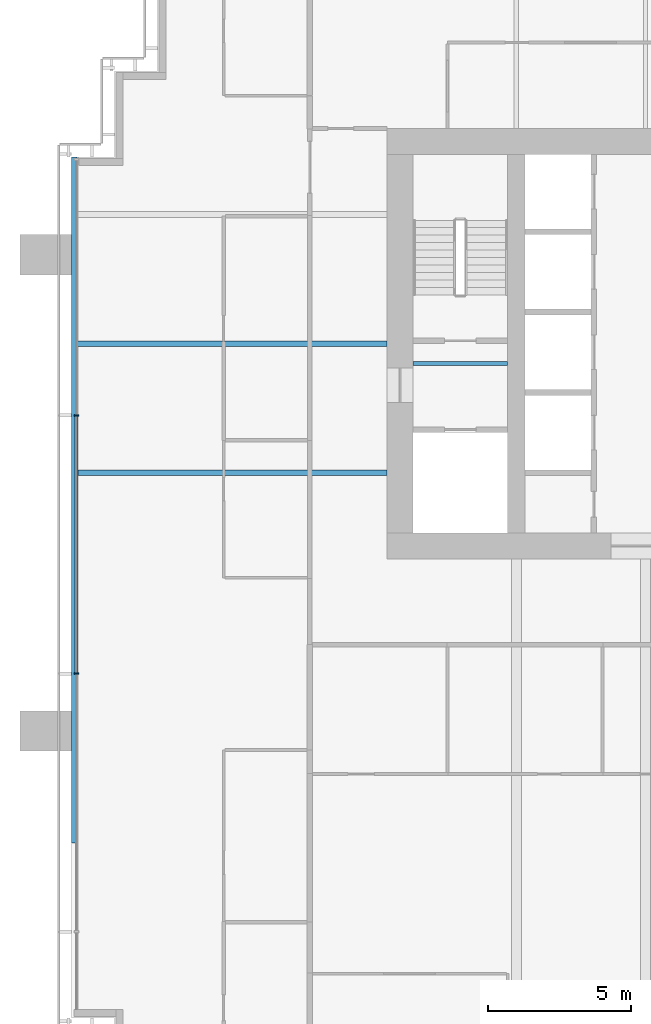
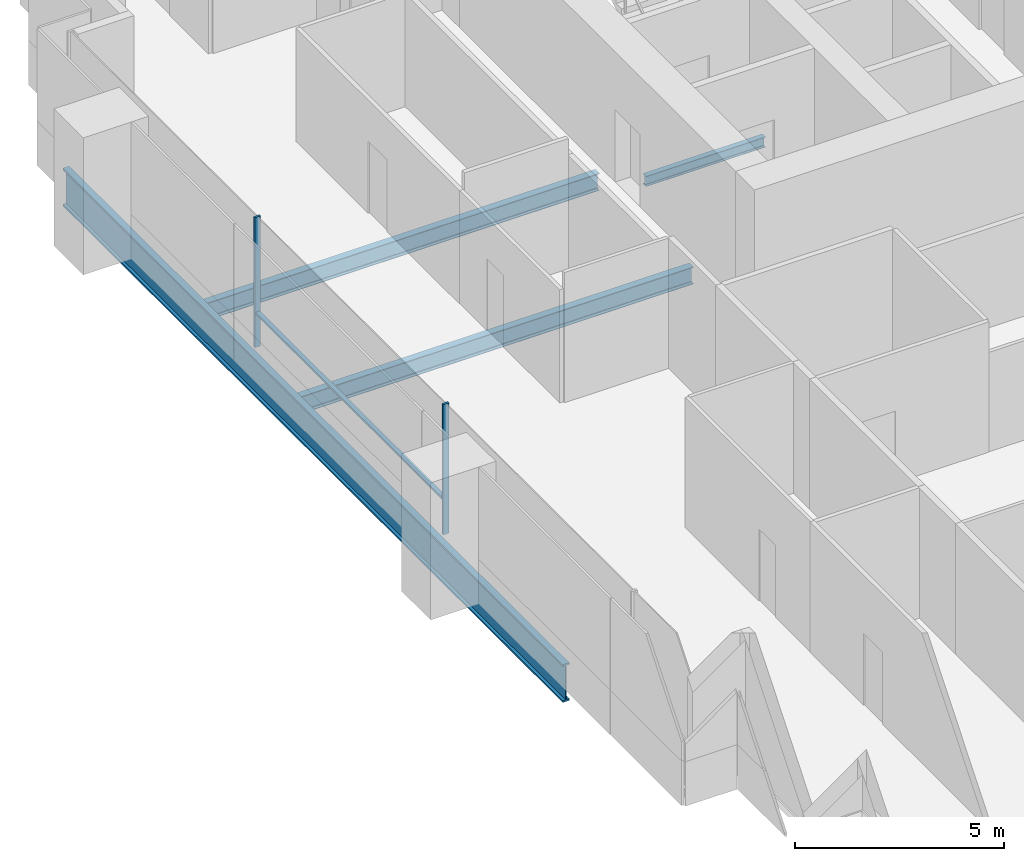
# One storey, part 4 of 18: 4 beams, 3 members, 1 element without a shape of its own.
"""IFC4 building model written with IfcOpenShell, lengths in metres."""

from ifc_helpers import new_model, si_unit, direction, frame, origin, origin_2d, place, context, subcontext, project, spatial, rectangle, i_section, extrude, material, material_profile, profile_set, type_object, element, aggregate, save


model = new_model("IFC4")

# Units and contexts
model_context = context("Model", 3, precision=1e-05, world=origin(), true_north=direction((0.0, 1.0)))
body_context = subcontext(model_context, "Body", "Model", "MODEL_VIEW")
ifc_project = project(units=[si_unit("LENGTHUNIT", "METRE"), si_unit("AREAUNIT", "SQUARE_METRE"), si_unit("VOLUMEUNIT", "CUBIC_METRE"), si_unit("PLANEANGLEUNIT", "RADIAN"), si_unit("MASSUNIT", "GRAM", prefix="KILO")], contexts=[model_context])

# Site, building, storey
site_placement = place(None, origin())
site = spatial("IfcSite", under=ifc_project, at=site_placement, CompositionType="ELEMENT")
building_placement = place(site_placement, origin())
building = spatial("IfcBuilding", under=site, at=building_placement, Name="Rattan Terrace Tower", CompositionType="ELEMENT")
storey_placement = place(building_placement, frame((0.0, 0.0, 134.10009765625)))
storey = spatial("IfcBuildingStorey", under=building, at=storey_placement, Name="L30", CompositionType="ELEMENT", Elevation=134.10009765625)

# Curtain wall, members
ifc_material_1 = material(Name="Aluminium and glass", Category="aluminium")
curtain_wall_type = type_object("IfcCurtainWallType", Name="Facade Unitised Curtain Wall", PredefinedType="NOTDEFINED", material=ifc_material_1)
curtain_wall_placement = place(storey_placement, origin())
curtain_wall = element("IfcCurtainWall", 1, at=curtain_wall_placement, inside=storey, type_object=curtain_wall_type, Name="Curtain wall L30-3", PredefinedType="NOTDEFINED")
ifc_material_2 = material(Name="Aluminium", Category="aluminium")
ifc_material_profile_1 = material_profile(ifc_material_2, rectangle(XDim=0.06005859375, YDim=0.159912109375, at=origin_2d()), Name="Aluminium 60x160")
ifc_profile_set_1 = profile_set([ifc_material_profile_1], Name="Aluminium")
member_type_1 = type_object("IfcMemberType", Name="Facade CW Mullion 60x160", PredefinedType="MULLION", material=ifc_profile_set_1)
member_1_placement = place(storey_placement, frame((-28.830078125, -2.5, 0.0), z_axis=(0.0, 0.0, 1.0), x_axis=(0.0, -1.0, 0.0)))
member_1 = element("IfcMember", 2, at=member_1_placement, type_object=member_type_1, Name="Mullion cwl-L30-003.2", PredefinedType="MULLION", context=body_context, shape_type="SweptSolid", body=[
    extrude(rectangle(XDim=0.06005859375, YDim=0.159912109375, at=origin_2d()), origin(), (0.0, 0.0, 1.0), 3.7998046875),
])
member_2_placement = place(storey_placement, frame((-28.830078125, -11.5, 0.0), z_axis=(0.0, 0.0, 1.0), x_axis=(0.0, -1.0, 0.0)))
member_2 = element("IfcMember", 3, at=member_2_placement, type_object=member_type_1, Name="Mullion cwl-L30-003.3", PredefinedType="MULLION", context=body_context, shape_type="SweptSolid", body=[
    extrude(rectangle(XDim=0.06005859375, YDim=0.159912109375, at=origin_2d()), origin(), (0.0, 0.0, 1.0), 3.7998046875),
])
ifc_material_3 = material(Name="Aluminium", Category="aluminium")
ifc_material_profile_2 = material_profile(ifc_material_3, rectangle(XDim=0.1201171875, YDim=0.06005859375, at=origin_2d()), Name="Aluminium 120x60")
ifc_profile_set_2 = profile_set([ifc_material_profile_2], Name="Aluminium")
member_type_2 = type_object("IfcMemberType", Name="Facade CW Transom 120x60", PredefinedType="USERDEFINED", material=ifc_profile_set_2)
member_3_placement = place(storey_placement, frame((-28.830078125, -2.530029296875, 1.0), z_axis=(0.0, -1.0, 0.0), x_axis=(1.0, 0.0, 0.0)))
member_3 = element("IfcMember", 4, at=member_3_placement, type_object=member_type_2, Name="Transom cwl-L30-003.2", ObjectType="TRANSOM", PredefinedType="USERDEFINED", context=body_context, shape_type="SweptSolid", body=[
    extrude(rectangle(XDim=0.1201171875, YDim=0.06005859375, at=origin_2d()), origin(), (0.0, 0.0, 1.0), 8.93994140625),
])
aggregate(curtain_wall, [member_1, member_2, member_3])

# Beams
ifc_material_4 = material(Name="Steel S460", Category="steel")
ifc_material_profile_3 = material_profile(ifc_material_4, i_section(OverallWidth=0.179931640625, OverallDepth=1.10009765625, WebThickness=0.01611328125, FlangeThickness=0.050048828125, at=origin_2d()), Name="PG 1100x180-16-50")
ifc_profile_set_3 = profile_set([ifc_material_profile_3], Name="Steel S460")
beam_type_1 = type_object("IfcBeamType", Name="Frame edge girder PG 1100x180-16-50", PredefinedType="SPANDREL", material=ifc_profile_set_3)
beam_1_placement = place(storey_placement, frame((-28.909912109375, -17.39990234375, -0.75), z_axis=(0.0, 1.0, 0.0), x_axis=(-1.0, 0.0, 0.0)))
element("IfcBeam", 5, at=beam_1_placement, inside=storey, type_object=beam_type_1, Name="gdr-L30-003", PredefinedType="SPANDREL", context=body_context, shape_type="SweptSolid", body=[
    extrude(i_section(OverallWidth=0.179931640625, OverallDepth=1.10009765625, WebThickness=0.01611328125, FlangeThickness=0.050048828125, at=origin_2d()), origin(), (0.0, 0.0, 1.0), 23.89990234375),
])
ifc_material_5 = material(Name="Steel S355", Category="steel")
ifc_material_profile_4 = material_profile(ifc_material_5, i_section(OverallWidth=0.14990234375, OverallDepth=0.300048828125, WebThickness=0.007080078125, FlangeThickness=0.0107421875, FilletRadius=0.014892578125, at=origin_2d()), Name="IPE 300")
ifc_profile_set_4 = profile_set([ifc_material_profile_4], Name="Steel S355")
beam_type_2 = type_object("IfcBeamType", Name="Frame floor beam IPE 300", PredefinedType="JOIST", material=ifc_profile_set_4)
beam_2_placement = place(storey_placement, frame((-17.10009765625, -0.695068359375, -0.35009765625), z_axis=(1.0, 0.0, 0.0), x_axis=(0.0, 1.0, 0.0)))
element("IfcBeam", 6, at=beam_2_placement, inside=storey, type_object=beam_type_2, Name="bm-L30-001", PredefinedType="JOIST", context=body_context, shape_type="SweptSolid", body=[
    extrude(i_section(OverallWidth=0.14990234375, OverallDepth=0.300048828125, WebThickness=0.007080078125, FlangeThickness=0.0107421875, FilletRadius=0.014892578125, at=origin_2d()), origin(), (0.0, 0.0, 1.0), 3.300048828125),
])
ifc_material_6 = material(Name="Steel S355", Category="steel")
ifc_material_profile_5 = material_profile(ifc_material_6, i_section(OverallWidth=0.199951171875, OverallDepth=0.5, WebThickness=0.01025390625, FlangeThickness=0.01611328125, FilletRadius=0.02099609375, at=origin_2d()), Name="IPE 500")
ifc_profile_set_5 = profile_set([ifc_material_profile_5], Name="Steel S355")
beam_type_3 = type_object("IfcBeamType", Name="Frame floor beam IPE 500", PredefinedType="JOIST", material=ifc_profile_set_5)
for number, where, z_axis, x_axis, name in (
    (7, (-28.820068359375, -4.5, -0.4501953125), (1.0, 0.0, 0.0), (0.0, 1.0, 0.0), "bm-L30-010"),
    (8, (-28.820068359375, 0.0, -0.4501953125), (1.0, 0.0, 0.0), (0.0, 1.0, 0.0), "bm-L30-012"),
):
    element("IfcBeam", number, at=place(storey_placement, frame(where, z_axis=z_axis, x_axis=x_axis)), inside=storey, type_object=beam_type_3, Name=name, PredefinedType="JOIST", context=body_context, shape_type="SweptSolid", body=[
        extrude(i_section(OverallWidth=0.199951171875, OverallDepth=0.5, WebThickness=0.01025390625, FlangeThickness=0.01611328125, FilletRadius=0.02099609375, at=origin_2d()), origin(), (0.0, 0.0, 1.0), 10.820068359375),
    ])

save(model, "model.ifc")
